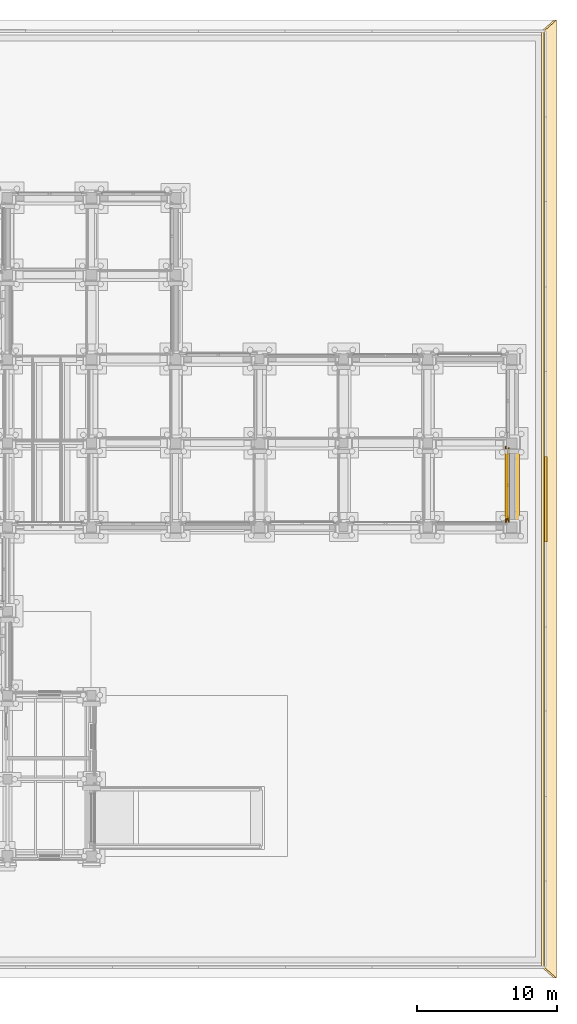
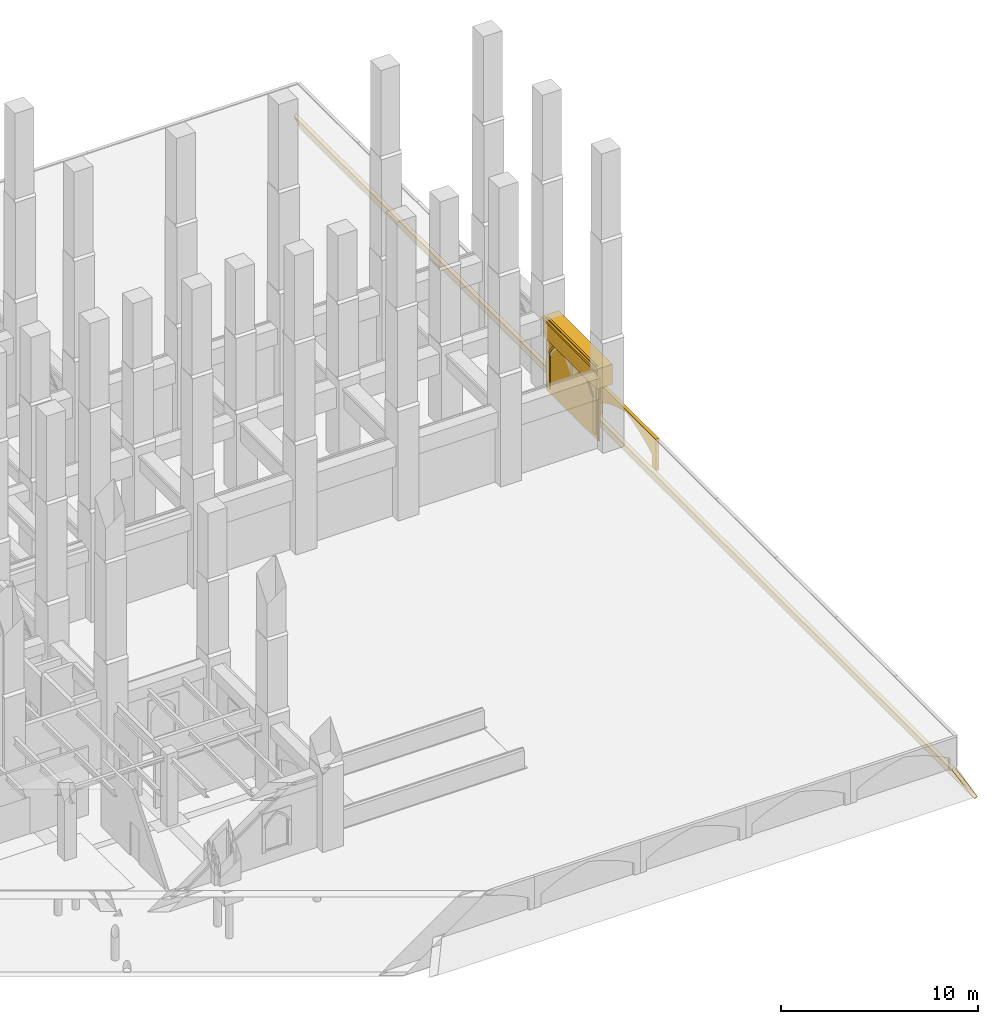
# One storey, part 132 of 135: 7 coverings.
"""IFC4 building model written with IfcOpenShell, lengths in metres."""

from ifc_helpers import new_model, si_unit, direction, frame, origin, origin_2d, place, context, subcontext, project, spatial, polyline, rectangle, outline, extrude, material, type_object, element, save


model = new_model("IFC4")

# Units and contexts
model_context = context("Model", 3, precision=1e-05, world=origin(), true_north=direction((0.0, 1.0)))
body_context = subcontext(model_context, "Body", "Model", "MODEL_VIEW")
ifc_project = project(units=[si_unit("LENGTHUNIT", "METRE"), si_unit("AREAUNIT", "SQUARE_METRE"), si_unit("VOLUMEUNIT", "CUBIC_METRE"), si_unit("PLANEANGLEUNIT", "RADIAN"), si_unit("MASSUNIT", "GRAM", prefix="KILO")], contexts=[model_context])

# Site, building, storey
site_placement = place(None, origin())
site = spatial("IfcSite", under=ifc_project, at=site_placement, CompositionType="ELEMENT")
building_placement = place(site_placement, origin())
building = spatial("IfcBuilding", under=site, at=building_placement, Name="Cumevento Cable Car Station", CompositionType="ELEMENT")
storey_placement = place(building_placement, origin())
storey = spatial("IfcBuildingStorey", under=building, at=storey_placement, Name="L01", CompositionType="ELEMENT", Elevation=0.0)

# Coverings
ifc_material = material(Name="Gnaisse Facoidal Stone Ashlar 85 MPa", Category="masonry")
covering_type = type_object("IfcCoveringType", Name="Gnaisse Ashlar Cladding CV-CL01", PredefinedType="CLADDING", material=ifc_material)
covering_1_placement = place(storey_placement, frame((166.080078125, 36.0, 3.2900390625), z_axis=(0.0, 0.0, 1.0), x_axis=(0.0, 1.0, 0.0)))
element("IfcCovering", 1, at=covering_1_placement, inside=storey, type_object=covering_type, Name="Gothic Stone Spandrel Stringcourse sc:0228", PredefinedType="CLADDING", context=body_context, shape_type="SweptSolid", body=[
    extrude(rectangle(XDim=5.489990234375, YDim=0.919921875, at=origin_2d()), origin(), (0.0, 0.0, 1.0), 1.239990234375),
])
covering_2_placement = place(storey_placement, frame((165.592529296875, 36.0, 4.400146484375), z_axis=(0.0, 0.0, 1.0), x_axis=(0.0, 1.0, 0.0)))
element("IfcCovering", 2, at=covering_2_placement, inside=storey, type_object=covering_type, Name="Gothic Cornice Dripstone Lip sc:0228", PredefinedType="CLADDING", context=body_context, shape_type="SweptSolid", body=[
    extrude(rectangle(XDim=5.530029296875, YDim=0.114990234375, at=origin_2d()), origin(), (0.0, 0.0, 1.0), 0.1298828125),
])
covering_3_placement = place(storey_placement, frame((166.0, 33.375, 0.0), z_axis=(0.0, 0.0, 1.0), x_axis=(0.0, 1.0, 0.0)))
element("IfcCovering", 3, at=covering_3_placement, inside=storey, type_object=covering_type, Name="Exterior Gnaisse Stone Wall Ashlar #87", PredefinedType="CLADDING", context=body_context, shape_type="SweptSolid", body=[
    extrude(outline(polyline([(-0.0400390625, -0.02001953125), (5.2900390625, -0.02001953125), (5.2900390625, 4.52001953125), (-0.0400390625, 4.52001953125), (-0.0400390625, -0.02001953125)])), frame((0.0, 0.25, 0.0), z_axis=(0.0, -1.0, 0.0), x_axis=(1.0, 0.0, 0.0)), (0.0, 0.0, 1.0), 0.0849609375),
])
covering_4_placement = place(storey_placement, frame((166.0, 33.554931640625, 0.300048828125), z_axis=(0.0, 0.0, 1.0), x_axis=(0.0, 1.0, 0.0)))
element("IfcCovering", 4, at=covering_4_placement, inside=storey, type_object=covering_type, Name="Gothic Ogival Pointed-Arch Stone Spandrel blind_ogival:0087", PredefinedType="CLADDING", context=body_context, shape_type="SweptSolid", body=[
    extrude(outline(polyline([(-0.050048828125, 0.0), (-0.050048828125, 4.239990234375), (4.93994140625, 4.239990234375), (4.93994140625, 0.0), (4.6298828125, 0.0), (4.6298828125, 2.219970703125), (4.394287109375, 2.556884765625), (4.12939453125, 2.871337890625), (3.8369140625, 3.160400390625), (3.51953125, 3.421630859375), (3.179931640625, 3.6533203125), (2.82080078125, 3.853271484375), (2.445068359375, 4.02001953125), (2.069091796875, 3.853271484375), (1.7099609375, 3.6533203125), (1.370361328125, 3.421630859375), (1.052978515625, 3.160400390625), (0.760498046875, 2.871337890625), (0.49560546875, 2.556884765625), (0.260009765625, 2.219970703125), (0.260009765625, 0.0), (-0.050048828125, 0.0)])), frame((0.0, 0.304931640625, 0.0), z_axis=(0.0, -1.0, 0.0), x_axis=(1.0, 0.0, 0.0)), (0.0, 0.0, 1.0), 0.110107421875),
])
covering_5_placement = place(storey_placement, frame((166.0, 33.554931640625, 2.52001953125), z_axis=(0.0, 0.0, 1.0), x_axis=(0.0, 1.0, 0.0)))
element("IfcCovering", 5, at=covering_5_placement, inside=storey, type_object=covering_type, Name="Gothic Pointed Archivolt Hood Moulding blind_ogival:0087", PredefinedType="CLADDING", context=body_context, shape_type="SweptSolid", body=[
    extrude(outline(polyline([(0.260009765625, 0.0), (0.49560546875, 0.3369140625), (0.760498046875, 0.6513671875), (1.052978515625, 0.9404296875), (1.370361328125, 1.20166015625), (1.7099609375, 1.433349609375), (2.069091796875, 1.63330078125), (2.445068359375, 1.800048828125), (2.82080078125, 1.63330078125), (3.179931640625, 1.433349609375), (3.51953125, 1.20166015625), (3.8369140625, 0.9404296875), (4.12939453125, 0.6513671875), (4.394287109375, 0.3369140625), (4.6298828125, 0.0), (4.7509765625, 0.0), (4.506103515625, 0.3642578125), (4.228759765625, 0.70458984375), (3.921142578125, 1.017822265625), (3.5859375, 1.301513671875), (3.226318359375, 1.552978515625), (2.8447265625, 1.77001953125), (2.445068359375, 1.951171875), (2.045166015625, 1.77001953125), (1.66357421875, 1.552978515625), (1.303955078125, 1.301513671875), (0.96875, 1.017822265625), (0.6611328125, 0.70458984375), (0.3837890625, 0.3642578125), (0.138916015625, 0.0), (0.260009765625, 0.0)])), frame((0.0, 0.346923828125, 0.0), z_axis=(0.0, -1.0, 0.0), x_axis=(1.0, 0.0, 0.0)), (0.0, 0.0, 1.0), 0.06689453125),
])
covering_6_placement = place(storey_placement, frame((169.199951171875, 0.800048828125, -3.52001953125), z_axis=(0.880314012934, 0.0, 0.474391440303), x_axis=(0.0, 1.0, 0.0)))
element("IfcCovering", 6, at=covering_6_placement, inside=storey, type_object=covering_type, Name="Battered Granite Bedrock Toe Glacis E", PredefinedType="CLADDING", context=body_context, shape_type="SweptSolid", body=[
    extrude(outline(polyline([(0.0, 0.0), (68.39990234375, 0.0), (67.599853515625, 1.896961596050447), (0.800048828125, 1.896961596050447), (0.0, 0.0)])), origin(), (0.0, 0.0, -1.0), 0.199951171875),
])
covering_7_placement = place(storey_placement, frame((168.35009765625, 38.03173828125, -1.919921875), z_axis=(0.0, 0.0, 1.0), x_axis=(0.0, -1.0, 0.0)))
element("IfcCovering", 7, at=covering_7_placement, inside=storey, type_object=covering_type, Name="Gothic Ogival Pointed-Arch Stone Spandrel cumevento_plinth:plinth_arch:E:5", PredefinedType="CLADDING", context=body_context, shape_type="SweptSolid", body=[
    extrude(outline(polyline([(-0.02001953125, 0.0), (-0.02001953125, 1.9599609375), (6.083740234375, 1.9599609375), (6.083740234375, 0.0), (5.70361328125, 0.0), (5.70361328125, 0.77001953125), (5.284912109375, 1.003662109375), (4.853759765625, 1.21337890625), (4.41162109375, 1.3984375), (3.95947265625, 1.55810546875), (3.4990234375, 1.692138671875), (3.03173828125, 1.800048828125), (2.564697265625, 1.692138671875), (2.104248046875, 1.55810546875), (1.652099609375, 1.3984375), (1.2099609375, 1.21337890625), (0.77880859375, 1.003662109375), (0.360107421875, 0.77001953125), (0.360107421875, 0.0), (-0.02001953125, 0.0)])), frame((0.0, 0.14990234375, 0.0), z_axis=(0.0, -1.0, 0.0), x_axis=(1.0, 0.0, 0.0)), (0.0, 0.0, 1.0), 0.179931640625),
])

save(model, "model.ifc")
